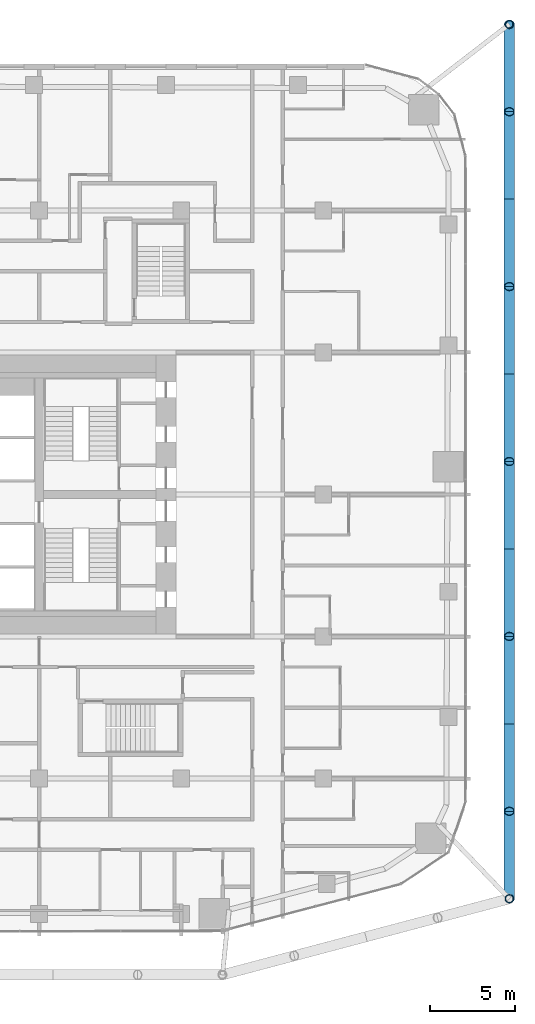
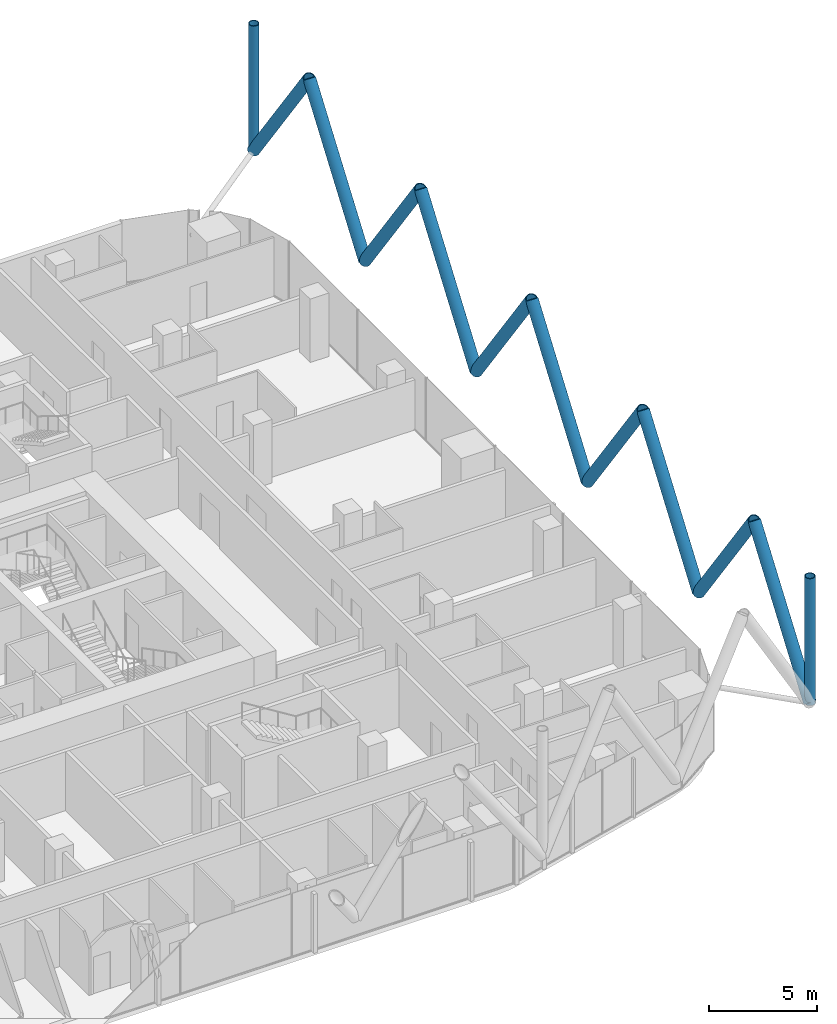
# One storey, part 15 of 35: 12 members.
"""IFC4 building model written with IfcOpenShell, lengths in metres."""

from ifc_helpers import new_model, si_unit, direction, frame, origin, origin_2d, place, context, subcontext, project, spatial, hollow_circle, extrude, material, material_profile, profile_set, type_object, element, save


model = new_model("IFC4")

# Units and contexts
model_context = context("Model", 3, precision=1e-05, world=origin(), true_north=direction((0.0, 1.0)))
body_context = subcontext(model_context, "Body", "Model", "MODEL_VIEW")
ifc_project = project(units=[si_unit("LENGTHUNIT", "METRE"), si_unit("AREAUNIT", "SQUARE_METRE"), si_unit("VOLUMEUNIT", "CUBIC_METRE"), si_unit("PLANEANGLEUNIT", "RADIAN"), si_unit("MASSUNIT", "GRAM", prefix="KILO")], contexts=[model_context])

# Site, building, storey
site_placement = place(None, origin())
site = spatial("IfcSite", under=ifc_project, at=site_placement, CompositionType="ELEMENT")
building_placement = place(site_placement, origin())
building = spatial("IfcBuilding", under=site, at=building_placement, Name="Marenta Gate Hotel Tower", CompositionType="ELEMENT")
storey_placement = place(building_placement, frame((0.0, 0.0, 61.699951171875)))
storey = spatial("IfcBuildingStorey", under=building, at=storey_placement, Name="L13", CompositionType="ELEMENT", Elevation=61.699951171875)

# Members
ifc_material_1 = material(Name="Steel S355J2W", Category="steel")
ifc_material_profile_1 = material_profile(ifc_material_1, hollow_circle(Radius=0.25390625, WallThickness=0.0400390625, at=origin_2d()), Name="CHS 508x40")
ifc_profile_set_1 = profile_set([ifc_material_profile_1], Name="Steel S355J2W")
member_type_1 = type_object("IfcMemberType", Name="Diagrid corner post Z1 CHS 508x40", PredefinedType="POST", material=ifc_profile_set_1)
for number, where, z_axis, x_axis, name in (
    (1, (32.0, 36.199951171875, 3.14013671875), (0.0, 0.0, 1.0), (1.0, 0.0, 0.0), "L13-DR-1"),
    (2, (32.0, -15.500244140625, 3.14013671875), (0.0, 0.0, 1.0), (1.0, 0.0, 0.0), "L13-DR-2"),
):
    element("IfcMember", number, at=place(storey_placement, frame(where, z_axis=z_axis, x_axis=x_axis)), inside=storey, type_object=member_type_1, Name=name, PredefinedType="POST", context=body_context, shape_type="SweptSolid", body=[
        extrude(hollow_circle(Radius=0.25390625, WallThickness=0.0400390625, at=origin_2d()), origin(), (0.0, 0.0, 1.0), 7.199951171875),
    ])
ifc_material_2 = material(Name="Steel S355J2W", Category="steel")
ifc_material_profile_2 = material_profile(ifc_material_2, hollow_circle(Radius=0.304931640625, WallThickness=0.0400390625, at=origin_2d()), Name="CHS 610x40")
ifc_profile_set_2 = profile_set([ifc_material_profile_2], Name="Steel S355J2W")
member_type_2 = type_object("IfcMemberType", Name="Diagrid diagonal Z1 CHS 610x40", PredefinedType="BRACE", material=ifc_profile_set_2)
for number, where, z_axis, x_axis, name in (
    (3, (32.0, 36.199951171875, 3.14013671875), (0.0, -0.583260841117, 0.812284919975), (1.0, 0.0, 0.0), "L13-DG-1"),
    (4, (32.0, 25.860107421875, 3.14013671875), (0.0, 0.583260841117, 0.812284919975), (-1.0, 0.0, 0.0), "L13-DG-2"),
):
    element("IfcMember", number, at=place(storey_placement, frame(where, z_axis=z_axis, x_axis=x_axis)), inside=storey, type_object=member_type_2, Name=name, PredefinedType="BRACE", context=body_context, shape_type="SweptSolid", body=[
        extrude(hollow_circle(Radius=0.304931640625, WallThickness=0.0400390625, at=origin_2d()), origin(), (0.0, 0.0, 1.0), 8.86376953125),
    ])
member_1_placement = place(storey_placement, frame((32.0, 25.860107421875, 3.14013671875), z_axis=(0.0, -0.583279014058, 0.812271870595), x_axis=(1.0, 0.0, 0.0)))
element("IfcMember", 5, at=member_1_placement, inside=storey, type_object=member_type_2, Name="L13-DG-3", PredefinedType="BRACE", context=body_context, shape_type="SweptSolid", body=[
    extrude(hollow_circle(Radius=0.304931640625, WallThickness=0.0400390625, at=origin_2d()), origin(), (0.0, 0.0, 1.0), 8.864013671875),
])
member_2_placement = place(storey_placement, frame((32.0, 15.52001953125, 3.14013671875), z_axis=(0.0, 0.583260841117, 0.812284919975), x_axis=(-1.0, 0.0, 0.0)))
element("IfcMember", 6, at=member_2_placement, inside=storey, type_object=member_type_2, Name="L13-DG-4", PredefinedType="BRACE", context=body_context, shape_type="SweptSolid", body=[
    extrude(hollow_circle(Radius=0.304931640625, WallThickness=0.0400390625, at=origin_2d()), origin(), (0.0, 0.0, 1.0), 8.86376953125),
])
member_3_placement = place(storey_placement, frame((32.0, 15.52001953125, 3.14013671875), z_axis=(0.0, -0.583279014058, 0.812271870595), x_axis=(1.0, 0.0, 0.0)))
element("IfcMember", 7, at=member_3_placement, inside=storey, type_object=member_type_2, Name="L13-DG-5", PredefinedType="BRACE", context=body_context, shape_type="SweptSolid", body=[
    extrude(hollow_circle(Radius=0.304931640625, WallThickness=0.0400390625, at=origin_2d()), origin(), (0.0, 0.0, 1.0), 8.864013671875),
])
for number, where, z_axis, x_axis, name in (
    (8, (32.0, 5.179931640625, 3.14013671875), (0.0, 0.583260841117, 0.812284919975), (-1.0, 0.0, 0.0), "L13-DG-6"),
    (9, (32.0, 5.179931640625, 3.14013671875), (0.0, -0.583260841117, 0.812284919975), (1.0, 0.0, 0.0), "L13-DG-7"),
):
    element("IfcMember", number, at=place(storey_placement, frame(where, z_axis=z_axis, x_axis=x_axis)), inside=storey, type_object=member_type_2, Name=name, PredefinedType="BRACE", context=body_context, shape_type="SweptSolid", body=[
        extrude(hollow_circle(Radius=0.304931640625, WallThickness=0.0400390625, at=origin_2d()), origin(), (0.0, 0.0, 1.0), 8.86376953125),
    ])
member_4_placement = place(storey_placement, frame((32.0, -5.16015625, 3.14013671875), z_axis=(0.0, 0.583279014058, 0.812271870595), x_axis=(-1.0, 0.0, 0.0)))
element("IfcMember", 10, at=member_4_placement, inside=storey, type_object=member_type_2, Name="L13-DG-8", PredefinedType="BRACE", context=body_context, shape_type="SweptSolid", body=[
    extrude(hollow_circle(Radius=0.304931640625, WallThickness=0.0400390625, at=origin_2d()), origin(), (0.0, 0.0, 1.0), 8.864013671875),
])
member_5_placement = place(storey_placement, frame((32.0, -5.16015625, 3.14013671875), z_axis=(0.0, -0.583260841117, 0.812284919975), x_axis=(1.0, 0.0, 0.0)))
element("IfcMember", 11, at=member_5_placement, inside=storey, type_object=member_type_2, Name="L13-DG-9", PredefinedType="BRACE", context=body_context, shape_type="SweptSolid", body=[
    extrude(hollow_circle(Radius=0.304931640625, WallThickness=0.0400390625, at=origin_2d()), origin(), (0.0, 0.0, 1.0), 8.86376953125),
])
member_6_placement = place(storey_placement, frame((32.0, -15.500244140625, 3.14013671875), z_axis=(0.0, 0.583279014058, 0.812271870595), x_axis=(-1.0, 0.0, 0.0)))
element("IfcMember", 12, at=member_6_placement, inside=storey, type_object=member_type_2, Name="L13-DG-10", PredefinedType="BRACE", context=body_context, shape_type="SweptSolid", body=[
    extrude(hollow_circle(Radius=0.304931640625, WallThickness=0.0400390625, at=origin_2d()), origin(), (0.0, 0.0, 1.0), 8.864013671875),
])

save(model, "model.ifc")
